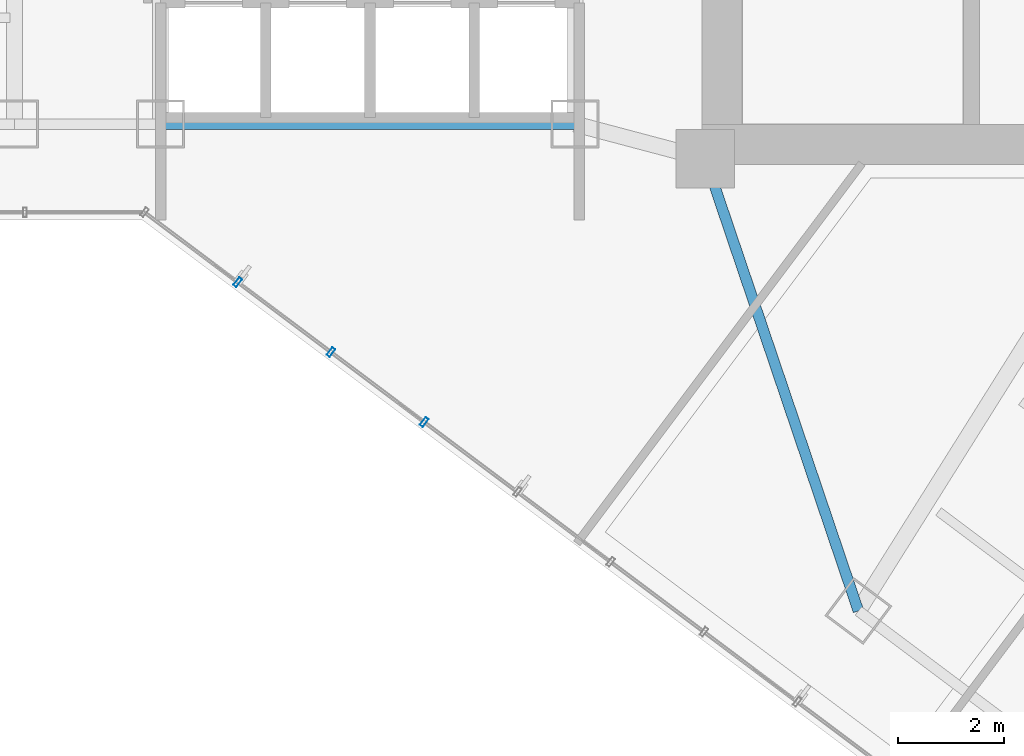
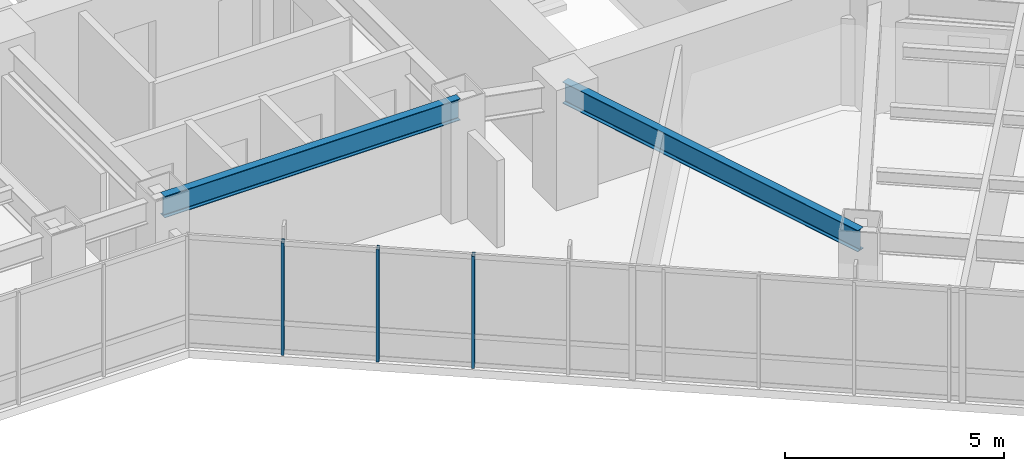
# One storey, part 9 of 36: 3 members, 2 beams, 1 element without a shape of its own.
"""IFC4 building model written with IfcOpenShell, lengths in metres."""

from ifc_helpers import new_model, si_unit, direction, frame, origin, origin_2d, place, context, subcontext, project, spatial, hollow_rectangle, i_section, extrude, material, layer, layer_set, material_profile, profile_set, type_object, element, aggregate, save


model = new_model("IFC4")

# Units and contexts
model_context = context("Model", 3, precision=1e-05, world=origin(), true_north=direction((0.0, 1.0)))
body_context = subcontext(model_context, "Body", "Model", "MODEL_VIEW")
ifc_project = project(units=[si_unit("LENGTHUNIT", "METRE"), si_unit("AREAUNIT", "SQUARE_METRE"), si_unit("VOLUMEUNIT", "CUBIC_METRE"), si_unit("PLANEANGLEUNIT", "RADIAN"), si_unit("MASSUNIT", "GRAM", prefix="KILO")], contexts=[model_context])

# Site, building, storey
site_placement = place(None, origin())
site = spatial("IfcSite", under=ifc_project, at=site_placement, CompositionType="ELEMENT")
building_placement = place(site_placement, origin())
building = spatial("IfcBuilding", under=site, at=building_placement, Name="Hatsunagi Terrace Concourse", CompositionType="ELEMENT")
storey_placement = place(building_placement, frame((0.0, 0.0, 84.64990234375)))
storey = spatial("IfcBuildingStorey", under=building, at=storey_placement, Name="L22", CompositionType="ELEMENT", Elevation=84.64990234375)

# Curtain wall, members
ifc_material_1 = material(Name="Anodised Aluminium Alloy 6063-T5", Category="aluminium")
ifc_layer = layer(ifc_material_1, 0.199951171875)
ifc_layer_set = layer_set([ifc_layer], Name="HotelFacade_CW02")
curtain_wall_type = type_object("IfcCurtainWallType", Name="HotelFacade_CW02", PredefinedType="NOTDEFINED", material=ifc_layer_set)
curtain_wall_placement = place(storey_placement, origin())
curtain_wall = element("IfcCurtainWall", 1, at=curtain_wall_placement, inside=storey, type_object=curtain_wall_type, Name="Unitised Curtain Wall CW-02 CW-L22-05", PredefinedType="NOTDEFINED")
ifc_material_2 = material(Name="Anodised Aluminium Alloy 6063-T5", Category="aluminium")
ifc_material_profile_1 = material_profile(ifc_material_2, hollow_rectangle(XDim=0.070068359375, YDim=0.179931640625, WallThickness=0.00390625, at=origin_2d()), Name="ALU-MUL-180x70x4")
ifc_profile_set_1 = profile_set([ifc_material_profile_1], Name="Anodised Aluminium Alloy 6063-T5")
member_type = type_object("IfcMemberType", Name="CurtainWallMullion_180x70", PredefinedType="MULLION", material=ifc_profile_set_1)
member_1_placement = place(storey_placement, frame((30.510009765625, 19.593017578125, 0.0), z_axis=(0.0, 0.0, 1.0), x_axis=(-0.800003116929, 0.599995844072, 0.0)))
member_1 = element("IfcMember", 2, at=member_1_placement, type_object=member_type, Name="Curtain Wall Mullion MUL-02", PredefinedType="MULLION", context=body_context, shape_type="SweptSolid", body=[
    extrude(hollow_rectangle(XDim=0.070068359375, YDim=0.179931640625, WallThickness=0.00390625, at=origin_2d()), origin(), (0.0, 0.0, 1.0), 3.130126953125),
])
member_2_placement = place(storey_placement, frame((28.756103515625, 20.907958984375, 0.0), z_axis=(0.0, 0.0, 1.0), x_axis=(-0.800003116929, 0.599995844072, 0.0)))
member_2 = element("IfcMember", 3, at=member_2_placement, type_object=member_type, Name="Curtain Wall Mullion MUL-02", PredefinedType="MULLION", context=body_context, shape_type="SweptSolid", body=[
    extrude(hollow_rectangle(XDim=0.070068359375, YDim=0.179931640625, WallThickness=0.00390625, at=origin_2d()), origin(), (0.0, 0.0, 1.0), 3.130126953125),
])
member_3_placement = place(storey_placement, frame((27.0009765625, 22.22412109375, 0.0), z_axis=(0.0, 0.0, 1.0), x_axis=(-0.800003116929, 0.599995844072, 0.0)))
member_3 = element("IfcMember", 4, at=member_3_placement, type_object=member_type, Name="Curtain Wall Mullion MUL-02", PredefinedType="MULLION", context=body_context, shape_type="SweptSolid", body=[
    extrude(hollow_rectangle(XDim=0.070068359375, YDim=0.179931640625, WallThickness=0.00390625, at=origin_2d()), origin(), (0.0, 0.0, 1.0), 3.130126953125),
])
aggregate(curtain_wall, [member_1, member_2, member_3])

# Beams
ifc_material_3 = material(Name="Steel SN490B", Category="steel")
ifc_material_profile_2 = material_profile(ifc_material_3, i_section(OverallWidth=0.199951171875, OverallDepth=0.60009765625, WebThickness=0.010986328125, FlangeThickness=0.01708984375, FilletRadius=0.01806640625, at=origin_2d()), Name="H-600x200x11x17")
ifc_profile_set_2 = profile_set([ifc_material_profile_2], Name="Steel SN490B")
beam_type = type_object("IfcBeamType", Name="PerimeterSpandrel_H_600x200", PredefinedType="SPANDREL", material=ifc_profile_set_2)
beam_1_placement = place(storey_placement, frame((25.550048828125, 25.199951171875, 2.830078125), z_axis=(1.0, 0.0, 0.0), x_axis=(0.0, 1.0, 0.0)))
element("IfcBeam", 5, at=beam_1_placement, inside=storey, type_object=beam_type, Name="Beam SP-01 BM-L22-WS-25", PredefinedType="SPANDREL", context=body_context, shape_type="SweptSolid", body=[
    extrude(i_section(OverallWidth=0.199951171875, OverallDepth=0.60009765625, WebThickness=0.010986328125, FlangeThickness=0.01708984375, FilletRadius=0.01806640625, at=origin_2d()), origin(), (0.0, 0.0, 1.0), 7.800048828125),
])
beam_2_placement = place(storey_placement, frame((35.800048828125, 24.550048828125, 2.830078125), z_axis=(0.320553412271, -0.947230441805, 0.0), x_axis=(0.947230441805, 0.320553412271, 0.0)))
element("IfcBeam", 6, at=beam_2_placement, inside=storey, type_object=beam_type, Name="Beam SP-01 BM-L22-SE-SW0", PredefinedType="SPANDREL", context=body_context, shape_type="SweptSolid", body=[
    extrude(i_section(OverallWidth=0.199951171875, OverallDepth=0.60009765625, WebThickness=0.010986328125, FlangeThickness=0.01708984375, FilletRadius=0.01806640625, at=origin_2d()), origin(), (0.0, 0.0, 1.0), 8.984130859375),
])

save(model, "model.ifc")
